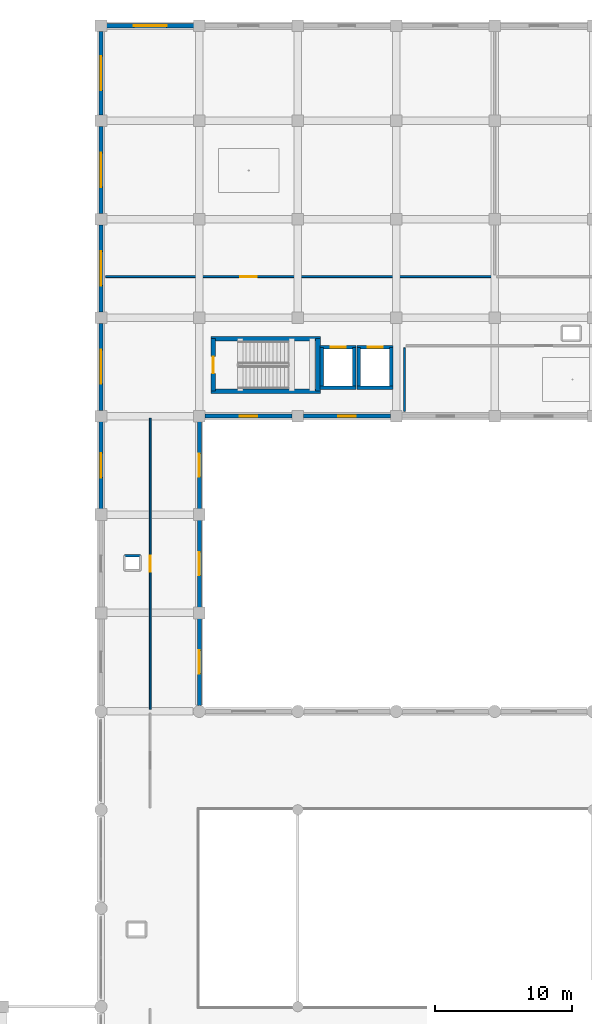
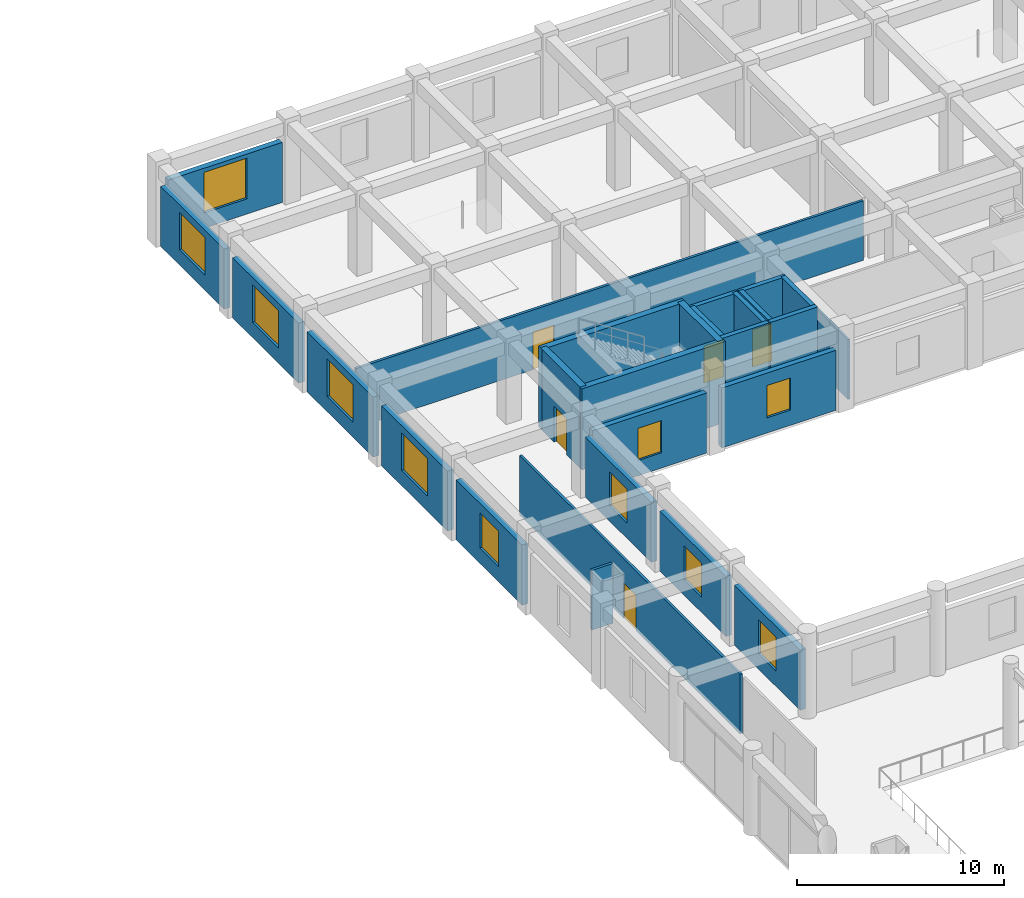
# One storey, part 33 of 54: 27 walls, 11 windows, 5 doors, 16 openings.
"""IFC4 building model written with IfcOpenShell, lengths in metres."""

import ifcopenshell
import ifcopenshell.guid

model = None  # the IFC model being written
_history = None  # IfcOwnerHistory: only IFC2X3 demands one
_inside = {}  # id of a spatial element -> (the spatial element, [elements in it])
_under = {}  # id of a project, library or spatial element -> (it, [spatial elements below it])
_declared = {}  # id of a project -> (the project, [libraries it declares])
_typed = {}  # id of a type object -> (the type object, [elements of that type])
_made_of = {}  # id of a material, layer set ... -> (it, [elements and type objects made of it])


def new_model(schema):
    """Start an empty IFC model of exactly this schema.

    Asked for "IFC4X3", IfcOpenShell would pick the latest addendum, in which some entities
    have other attributes; the version numbers below select the first issue.
    IFC2X3 requires an IfcOwnerHistory on every rooted entity: one is made here for all.
    """
    global model, _history
    if schema == "IFC4X3":
        model = ifcopenshell.file(schema_version=(4, 3, 0, 0))
    else:
        model = ifcopenshell.file(schema=schema)
    _inside.clear()
    _under.clear()
    _declared.clear()
    _typed.clear()
    _made_of.clear()
    _history = None
    if model.schema == "IFC2X3":
        org = make("IfcOrganization", Name="unknown")
        user = make(
            "IfcPersonAndOrganization",
            ThePerson=make("IfcPerson", FamilyName="unknown"),
            TheOrganization=org,
        )
        app = make(
            "IfcApplication",
            ApplicationDeveloper=org,
            Version="unknown",
            ApplicationFullName="unknown",
            ApplicationIdentifier="unknown",
        )
        _history = make(
            "IfcOwnerHistory",
            OwningUser=user,
            OwningApplication=app,
            ChangeAction="ADDED",
            CreationDate=0,
        )
    return model


def make(cls, **values):
    """One entity of the class cls with the attributes given. An attribute that is None is left unset."""
    return model.create_entity(
        cls, **{name: value for name, value in values.items() if value is not None}
    )


def rooted(cls, **values):
    """An entity with a GlobalId (a new one), such as an element, a storey or a relation."""
    return make(cls, GlobalId=ifcopenshell.guid.new(), OwnerHistory=_history, **values)


def si_unit(unit_type, name, prefix=None):
    """IfcSIUnit, for example si_unit("LENGTHUNIT", "METRE", prefix="MILLI")."""
    return make("IfcSIUnit", UnitType=unit_type, Prefix=prefix, Name=name)


def assignment(units):
    """IfcUnitAssignment: the units of a project."""
    return None if units is None else make("IfcUnitAssignment", Units=units)


def point(xyz):
    """IfcCartesianPoint."""
    return None if xyz is None else make("IfcCartesianPoint", Coordinates=xyz)


def direction(xyz):
    """IfcDirection."""
    return None if xyz is None else make("IfcDirection", DirectionRatios=xyz)


def frame(location, z_axis=None, x_axis=None):
    """IfcAxis2Placement3D, a coordinate frame: its origin and axes. An axis left out is left unset."""
    return make(
        "IfcAxis2Placement3D",
        Location=point(location),
        Axis=direction(z_axis),
        RefDirection=direction(x_axis),
    )


def frame_2d(location, x_axis=None):
    """IfcAxis2Placement2D, a coordinate frame in the plane: its origin and x axis."""
    return make(
        "IfcAxis2Placement2D", Location=point(location), RefDirection=direction(x_axis)
    )


def origin():
    """The frame at (0, 0, 0) with its axes left unset."""
    return frame((0.0, 0.0, 0.0))


def place(relative_to, where):
    """IfcLocalPlacement: puts the frame where relative to a parent placement (None: the world)."""
    return make(
        "IfcLocalPlacement", PlacementRelTo=relative_to, RelativePlacement=where
    )


def context(
    kind, dimensions, precision=None, world=None, true_north=None, identifier=None
):
    """IfcGeometricRepresentationContext, for example the 3D "Model" context."""
    return make(
        "IfcGeometricRepresentationContext",
        ContextIdentifier=identifier,
        ContextType=kind,
        CoordinateSpaceDimension=dimensions,
        Precision=precision,
        WorldCoordinateSystem=world,
        TrueNorth=true_north,
    )


def subcontext(parent, identifier, kind, view, scale=None):
    """IfcGeometricRepresentationSubContext, for example "Body" below "Model"."""
    return make(
        "IfcGeometricRepresentationSubContext",
        ContextIdentifier=identifier,
        ContextType=kind,
        ParentContext=parent,
        TargetScale=scale,
        TargetView=view,
    )


def project(units=None, contexts=None):
    """IfcProject with its units and contexts."""
    return rooted(
        "IfcProject",
        Name="project",
        RepresentationContexts=contexts,
        UnitsInContext=assignment(units),
    )


def spatial(cls, under=None, at=None, **own):
    """A site, building, storey or space (cls), placed at a placement, below another one or the project."""
    s = rooted(cls, ObjectPlacement=at, **own)
    if under is not None:
        _under.setdefault(under.id(), (under, []))[1].append(s)
    return s


def profile(cls, at=None, kind="AREA", **sizes):
    """A parametric profile (cls). Its sizes go by their IFC names, for example OverallWidth=200.0."""
    return make(cls, ProfileType=kind, Position=at, **sizes)


def rectangle(**sizes):
    """IfcRectangleProfileDef."""
    return profile("IfcRectangleProfileDef", **sizes)


def extrude(swept, where, along, depth):
    """IfcExtrudedAreaSolid: the profile swept, set in the frame where, extruded along a direction by depth."""
    return make(
        "IfcExtrudedAreaSolid",
        SweptArea=swept,
        Position=where,
        ExtrudedDirection=direction(along),
        Depth=depth,
    )


def shape(context_of_items, identifier, shape_type, items):
    """IfcShapeRepresentation: the items that make up one representation, for example the "Body"."""
    return make(
        "IfcShapeRepresentation",
        ContextOfItems=context_of_items,
        RepresentationIdentifier=identifier,
        RepresentationType=shape_type,
        Items=items,
    )


def material(Name=None, Category=None):
    """IfcMaterial."""
    return make("IfcMaterial", Name=Name, Category=Category)


def layer(
    of_material, thickness, ventilated=None, Name=None, Category=None, Priority=None
):
    """IfcMaterialLayer: one layer of a wall or slab, of a material (None: an air gap)."""
    return make(
        "IfcMaterialLayer",
        Material=of_material,
        LayerThickness=thickness,
        IsVentilated=ventilated,
        Name=Name,
        Category=Category,
        Priority=Priority,
    )


def layer_set(layers, Name=None):
    """IfcMaterialLayerSet."""
    return make("IfcMaterialLayerSet", MaterialLayers=layers, LayerSetName=Name)


def made_of(thing, what):
    """Note that an element or type object is made of a material, layer set ...; save() writes the relation."""
    if what is not None:
        _made_of.setdefault(what.id(), (what, []))[1].append(thing)
    return thing


def type_object(cls, material=None, **own):
    """A type object (cls), such as IfcWallType, which elements share."""
    return made_of(rooted(cls, **own), material)


def element(
    cls,
    number,
    at=None,
    inside=None,
    cuts=None,
    type_object=None,
    material=None,
    context=None,
    identifier="Body",
    shape_type=None,
    held_by="IfcProductDefinitionShape",
    body=None,
    shapes=None,
    **own,
):
    """One element of the class cls, such as IfcWall. Its Tag is "e" and its number.

    at: its placement. inside: the storey or other place that contains it. cuts: it is an
    opening in that element (IfcRelVoidsElement). A single representation is given by context,
    identifier, shape_type and body (its items); several are given by shapes. held_by: the class
    of the entity that holds the representations. save() writes the other relations.
    """
    e = rooted(cls, Tag="e%d" % number, ObjectPlacement=at, **own)
    if body is not None:
        shapes = [shape(context, identifier, shape_type, body)]
    if shapes is not None:
        e.Representation = make(held_by, Representations=shapes)
    if inside is not None:
        _inside.setdefault(inside.id(), (inside, []))[1].append(e)
    if cuts is not None:
        rooted(
            "IfcRelVoidsElement", RelatingBuildingElement=cuts, RelatedOpeningElement=e
        )
    if type_object is not None:
        _typed.setdefault(type_object.id(), (type_object, []))[1].append(e)
    return made_of(e, material)


def fill(opening, filler):
    """IfcRelFillsElement: the door or window that sits in an opening."""
    return rooted(
        "IfcRelFillsElement",
        RelatingOpeningElement=opening,
        RelatedBuildingElement=filler,
    )


def aggregate(whole, parts):
    """IfcRelAggregates: a whole, such as a stair, and the parts it consists of."""
    return rooted("IfcRelAggregates", RelatingObject=whole, RelatedObjects=parts)


def save(model, path):
    """Write the relations noted so far, then the file.

    IfcRelAggregates (storeys below a building ...), IfcRelContainedInSpatialStructure (elements
    in a storey), IfcRelDefinesByType, IfcRelAssociatesMaterial and IfcRelDeclares: one each for
    every whole, place, type object, material and project.
    """
    for whole, parts in _under.values():
        aggregate(whole, parts)
    for where, things in _inside.values():
        rooted(
            "IfcRelContainedInSpatialStructure",
            RelatedElements=things,
            RelatingStructure=where,
        )
    for kind, things in _typed.values():
        rooted("IfcRelDefinesByType", RelatedObjects=things, RelatingType=kind)
    for what, things in _made_of.values():
        rooted("IfcRelAssociatesMaterial", RelatedObjects=things, RelatingMaterial=what)
    for by, libraries in _declared.values():
        rooted("IfcRelDeclares", RelatingContext=by, RelatedDefinitions=libraries)
    model.write(path)


model = new_model("IFC4")

# Units and contexts
model_context = context("Model", 3, precision=1e-05, world=origin(), true_north=direction((0.0, 1.0)))
body_context = subcontext(model_context, "Body", "Model", "MODEL_VIEW")
ifc_project = project(units=[si_unit("LENGTHUNIT", "METRE"), si_unit("AREAUNIT", "SQUARE_METRE"), si_unit("VOLUMEUNIT", "CUBIC_METRE"), si_unit("PLANEANGLEUNIT", "RADIAN"), si_unit("MASSUNIT", "GRAM", prefix="KILO")], contexts=[model_context])

# Site, building, storey
site_placement = place(None, origin())
site = spatial("IfcSite", under=ifc_project, at=site_placement, CompositionType="ELEMENT")
building_placement = place(site_placement, origin())
building = spatial("IfcBuilding", under=site, at=building_placement, Name="Kazehaya Institute of Natural Sciences", CompositionType="ELEMENT")
storey_placement = place(building_placement, frame((0.0, 0.0, 5.39990234375)))
storey = spatial("IfcBuildingStorey", under=building, at=storey_placement, Name="L01", CompositionType="ELEMENT", Elevation=5.39990234375)

# Walls
ifc_material_1 = material(Name="Concrete Fc42", Category="concrete")
ifc_layer_1 = layer(ifc_material_1, 0.35009765625, Name="Concrete Fc42", Category="concrete")
ifc_layer_set_1 = layer_set([ifc_layer_1], Name="Concrete Fc42")
wall_type_1 = type_object("IfcWallType", Name="WL-CORE-350", PredefinedType="SHEAR", material=ifc_layer_set_1)
for number, where, z_axis, x_axis, name in (
    (1, (77.85498046875, 87.820068359375, 0.0), (0.0, 0.0, 1.0), (-1.0, 0.0, 0.0), "L01 ST-3 core wall S"),
    (2, (69.844970703125, 91.659912109375, 0.0), (0.0, 0.0, 1.0), (1.0, 0.0, 0.0), "L01 ST-3 core wall N"),
):
    element("IfcWall", number, at=place(storey_placement, frame(where, z_axis=z_axis, x_axis=x_axis)), inside=storey, type_object=wall_type_1, Name=name, PredefinedType="SHEAR", context=body_context, shape_type="SweptSolid", body=[
        extrude(rectangle(XDim=8.010009765625, YDim=0.35009765625, at=frame_2d((4.0048828125, 0.0))), origin(), (0.0, 0.0, 1.0), 4.77001953125),
    ])

# Wall, opening, door
wall_1_placement = place(storey_placement, frame((70.02001953125, 87.820068359375, 0.0), z_axis=(0.0, 0.0, 1.0), x_axis=(0.0, 1.0, 0.0)))
wall_1 = element("IfcWall", 3, at=wall_1_placement, inside=storey, type_object=wall_type_1, Name="L01 ST-3 core wall W", PredefinedType="SHEAR", context=body_context, shape_type="SweptSolid", body=[
    extrude(rectangle(XDim=3.83984375, YDim=0.35009765625, at=frame_2d((1.919921875, 0.0))), origin(), (0.0, 0.0, 1.0), 4.77001953125),
])
opening_1_placement = place(wall_1_placement, frame((1.31005859375, 0.0, 0.0)))
opening_1 = element("IfcOpeningElement", 4, at=opening_1_placement, cuts=wall_1, Name="Opening D-ST-025", PredefinedType="OPENING", context=body_context, shape_type="SweptSolid", body=[
    extrude(rectangle(XDim=1.219970703125, YDim=2.1201171875, at=frame_2d((0.60986328125, 1.06005859375))), frame((0.0, 0.18505859375, 0.0), z_axis=(0.0, -1.0, 0.0), x_axis=(1.0, 0.0, 0.0)), (0.0, 0.0, 1.0), 0.3701171875),
])
ifc_material_2 = material(Name="Fire-rated steel acoustic door", Category="steel")
door_type_1 = type_object("IfcDoorType", Name="DT-FD-26", OperationType="NOTDEFINED", PredefinedType="DOOR", material=ifc_material_2)
door_1_placement = place(opening_1_placement, origin())
door_1 = element("IfcDoor", 5, at=door_1_placement, inside=storey, type_object=door_type_1, Name="L01 ST-3 stair enclosure door D-ST-025", OperationType="SINGLE_SWING_LEFT", OverallHeight=2.1201171875, OverallWidth=1.219970703125, PredefinedType="DOOR", context=body_context, shape_type="SweptSolid", body=[
    extrude(rectangle(XDim=1.219970703125, YDim=2.1201171875, at=frame_2d((0.60986328125, 1.06005859375))), frame((0.0, 0.02490234375, 0.0), z_axis=(0.0, -1.0, 0.0), x_axis=(1.0, 0.0, 0.0)), (0.0, 0.0, 1.0), 0.050048828125),
])
fill(opening_1, door_1)

# Wall
wall_2_placement = place(storey_placement, frame((77.679931640625, 91.659912109375, 0.0), z_axis=(0.0, 0.0, 1.0), x_axis=(0.0, -1.0, 0.0)))
element("IfcWall", 6, at=wall_2_placement, inside=storey, type_object=wall_type_1, Name="L01 ST-3 core wall E", PredefinedType="SHEAR", context=body_context, shape_type="SweptSolid", body=[
    extrude(rectangle(XDim=3.83984375, YDim=0.35009765625, at=frame_2d((1.919921875, 0.0))), origin(), (0.0, 0.0, 1.0), 4.77001953125),
])

# Wall, opening, window
ifc_material_3 = material(Name="Precast concrete Fc36", Category="concrete")
ifc_layer_2 = layer(ifc_material_3, 0.2900390625, Name="Precast concrete Fc36", Category="concrete")
ifc_layer_set_2 = layer_set([ifc_layer_2], Name="Precast concrete Fc36")
wall_type_2 = type_object("IfcWallType", Name="WL-EXT-290", PredefinedType="SOLIDWALL", material=ifc_layer_set_2)
wall_3_placement = place(storey_placement, frame((82.989990234375, 86.0, 0.0), z_axis=(0.0, 0.0, 1.0), x_axis=(-1.0, 0.0, 0.0)))
wall_3 = element("IfcWall", 7, at=wall_3_placement, inside=storey, type_object=wall_type_2, Name="L01 exterior wall EW-L01-0191", PredefinedType="SOLIDWALL", context=body_context, shape_type="SweptSolid", body=[
    extrude(rectangle(XDim=6.3798828125, YDim=0.2900390625, at=frame_2d((3.18994140625, 0.0))), origin(), (0.0, 0.0, 1.0), 3.5400390625),
])
opening_2_placement = place(wall_3_placement, frame((2.5400390625, 0.0, 0.89990234375)))
opening_2 = element("IfcOpeningElement", 8, at=opening_2_placement, cuts=wall_3, Name="Opening W26", PredefinedType="OPENING", context=body_context, shape_type="SweptSolid", body=[
    extrude(rectangle(XDim=1.300048828125, YDim=1.89990234375, at=frame_2d((0.64990234375, 0.949951171875))), frame((0.0, 0.155029296875, 0.0), z_axis=(0.0, -1.0, 0.0), x_axis=(1.0, 0.0, 0.0)), (0.0, 0.0, 1.0), 0.31005859375),
])
ifc_material_4 = material(Name="Low-E double-glazed aluminium window", Category="aluminium")
window_type_1 = type_object("IfcWindowType", Name="WN-26", PartitioningType="SINGLE_PANEL", PredefinedType="WINDOW", material=ifc_material_4)
window_1_placement = place(opening_2_placement, origin())
window_1 = element("IfcWindow", 9, at=window_1_placement, inside=storey, type_object=window_type_1, Name="L01 facade window 0093", OverallHeight=1.89990234375, OverallWidth=1.300048828125, PartitioningType="SINGLE_PANEL", PredefinedType="WINDOW", context=body_context, shape_type="SweptSolid", body=[
    extrude(rectangle(XDim=1.300048828125, YDim=1.89990234375, at=frame_2d((0.64990234375, 0.949951171875))), frame((0.0, 0.030029296875, 0.0), z_axis=(0.0, -1.0, 0.0), x_axis=(1.0, 0.0, 0.0)), (0.0, 0.0, 1.0), 0.06005859375),
])
fill(opening_2, window_1)

wall_4_placement = place(storey_placement, frame((75.7900390625, 86.0, 0.0), z_axis=(0.0, 0.0, 1.0), x_axis=(-1.0, 0.0, 0.0)))
wall_4 = element("IfcWall", 10, at=wall_4_placement, inside=storey, type_object=wall_type_2, Name="L01 exterior wall EW-L01-0192", PredefinedType="SOLIDWALL", context=body_context, shape_type="SweptSolid", body=[
    extrude(rectangle(XDim=6.380126953125, YDim=0.2900390625, at=frame_2d((3.18994140625, 0.0))), origin(), (0.0, 0.0, 1.0), 3.5400390625),
])
opening_3_placement = place(wall_4_placement, frame((2.5400390625, 0.0, 0.89990234375)))
opening_3 = element("IfcOpeningElement", 11, at=opening_3_placement, cuts=wall_4, Name="Opening W26", PredefinedType="OPENING", context=body_context, shape_type="SweptSolid", body=[
    extrude(rectangle(XDim=1.300048828125, YDim=1.89990234375, at=frame_2d((0.64990234375, 0.949951171875))), frame((0.0, 0.155029296875, 0.0), z_axis=(0.0, -1.0, 0.0), x_axis=(1.0, 0.0, 0.0)), (0.0, 0.0, 1.0), 0.31005859375),
])
window_2_placement = place(opening_3_placement, origin())
window_2 = element("IfcWindow", 12, at=window_2_placement, inside=storey, type_object=window_type_1, Name="L01 facade window 0094", OverallHeight=1.89990234375, OverallWidth=1.300048828125, PartitioningType="SINGLE_PANEL", PredefinedType="WINDOW", context=body_context, shape_type="SweptSolid", body=[
    extrude(rectangle(XDim=1.300048828125, YDim=1.89990234375, at=frame_2d((0.64990234375, 0.949951171875))), frame((0.0, 0.030029296875, 0.0), z_axis=(0.0, -1.0, 0.0), x_axis=(1.0, 0.0, 0.0)), (0.0, 0.0, 1.0), 0.06005859375),
])
fill(opening_3, window_2)

ifc_layer_3 = layer(ifc_material_3, 0.31005859375, Name="Precast concrete Fc36", Category="concrete")
ifc_layer_set_3 = layer_set([ifc_layer_3], Name="Precast concrete Fc36")
wall_type_3 = type_object("IfcWallType", Name="WL-EXT-310", PredefinedType="SOLIDWALL", material=ifc_layer_set_3)
wall_5_placement = place(storey_placement, frame((69.0, 71.18994140625, 0.0), z_axis=(0.0, 0.0, 1.0), x_axis=(0.0, -1.0, 0.0)))
wall_5 = element("IfcWall", 13, at=wall_5_placement, inside=storey, type_object=wall_type_3, Name="L01 exterior wall EW-L01-0163", PredefinedType="SOLIDWALL", context=body_context, shape_type="SweptSolid", body=[
    extrude(rectangle(XDim=6.35498046875, YDim=0.31005859375, at=frame_2d((3.177490234375, 0.0))), origin(), (0.0, 0.0, 1.0), 3.5400390625),
])
opening_4_placement = place(wall_5_placement, frame((2.327392578125, 0.0, 0.89990234375)))
opening_4 = element("IfcOpeningElement", 14, at=opening_4_placement, cuts=wall_5, Name="Opening W22", PredefinedType="OPENING", context=body_context, shape_type="SweptSolid", body=[
    extrude(rectangle(XDim=1.699951171875, YDim=2.0, at=frame_2d((0.85009765625, 1.0))), frame((0.0, 0.1650390625, 0.0), z_axis=(0.0, -1.0, 0.0), x_axis=(1.0, 0.0, 0.0)), (0.0, 0.0, 1.0), 0.330078125),
])
window_type_2 = type_object("IfcWindowType", Name="WN-22", PartitioningType="SINGLE_PANEL", PredefinedType="WINDOW", material=ifc_material_4)
window_3_placement = place(opening_4_placement, origin())
window_3 = element("IfcWindow", 15, at=window_3_placement, inside=storey, type_object=window_type_2, Name="L01 facade window 0065", OverallHeight=2.0, OverallWidth=1.699951171875, PartitioningType="SINGLE_PANEL", PredefinedType="WINDOW", context=body_context, shape_type="SweptSolid", body=[
    extrude(rectangle(XDim=1.699951171875, YDim=2.0, at=frame_2d((0.85009765625, 1.0))), frame((0.0, 0.030029296875, 0.0), z_axis=(0.0, -1.0, 0.0), x_axis=(1.0, 0.0, 0.0)), (0.0, 0.0, 1.0), 0.06005859375),
])
fill(opening_4, window_3)

wall_6_placement = place(storey_placement, frame((69.0, 78.389892578125, 0.0), z_axis=(0.0, 0.0, 1.0), x_axis=(0.0, -1.0, 0.0)))
wall_6 = element("IfcWall", 16, at=wall_6_placement, inside=storey, type_object=wall_type_3, Name="L01 exterior wall EW-L01-0167", PredefinedType="SOLIDWALL", context=body_context, shape_type="SweptSolid", body=[
    extrude(rectangle(XDim=6.3798828125, YDim=0.31005859375, at=frame_2d((3.18994140625, 0.0))), origin(), (0.0, 0.0, 1.0), 3.5400390625),
])
opening_5_placement = place(wall_6_placement, frame((2.340087890625, 0.0, 0.89990234375)))
opening_5 = element("IfcOpeningElement", 17, at=opening_5_placement, cuts=wall_6, Name="Opening W22", PredefinedType="OPENING", context=body_context, shape_type="SweptSolid", body=[
    extrude(rectangle(XDim=1.699951171875, YDim=2.0, at=frame_2d((0.85009765625, 1.0))), frame((0.0, 0.1650390625, 0.0), z_axis=(0.0, -1.0, 0.0), x_axis=(1.0, 0.0, 0.0)), (0.0, 0.0, 1.0), 0.330078125),
])
window_4_placement = place(opening_5_placement, origin())
window_4 = element("IfcWindow", 18, at=window_4_placement, inside=storey, type_object=window_type_2, Name="L01 facade window 0069", OverallHeight=2.0, OverallWidth=1.699951171875, PartitioningType="SINGLE_PANEL", PredefinedType="WINDOW", context=body_context, shape_type="SweptSolid", body=[
    extrude(rectangle(XDim=1.699951171875, YDim=2.0, at=frame_2d((0.85009765625, 1.0))), frame((0.0, 0.030029296875, 0.0), z_axis=(0.0, -1.0, 0.0), x_axis=(1.0, 0.0, 0.0)), (0.0, 0.0, 1.0), 0.06005859375),
])
fill(opening_5, window_4)

wall_7_placement = place(storey_placement, frame((69.0, 85.590087890625, 0.0), z_axis=(0.0, 0.0, 1.0), x_axis=(0.0, -1.0, 0.0)))
wall_7 = element("IfcWall", 19, at=wall_7_placement, inside=storey, type_object=wall_type_3, Name="L01 exterior wall EW-L01-0171", PredefinedType="SOLIDWALL", context=body_context, shape_type="SweptSolid", body=[
    extrude(rectangle(XDim=6.380126953125, YDim=0.31005859375, at=frame_2d((3.18994140625, 0.0))), origin(), (0.0, 0.0, 1.0), 3.5400390625),
])
opening_6_placement = place(wall_7_placement, frame((2.340087890625, 0.0, 0.89990234375)))
opening_6 = element("IfcOpeningElement", 20, at=opening_6_placement, cuts=wall_7, Name="Opening W22", PredefinedType="OPENING", context=body_context, shape_type="SweptSolid", body=[
    extrude(rectangle(XDim=1.699951171875, YDim=2.0, at=frame_2d((0.85009765625, 1.0))), frame((0.0, 0.1650390625, 0.0), z_axis=(0.0, -1.0, 0.0), x_axis=(1.0, 0.0, 0.0)), (0.0, 0.0, 1.0), 0.330078125),
])
window_5_placement = place(opening_6_placement, origin())
window_5 = element("IfcWindow", 21, at=window_5_placement, inside=storey, type_object=window_type_2, Name="L01 facade window 0073", OverallHeight=2.0, OverallWidth=1.699951171875, PartitioningType="SINGLE_PANEL", PredefinedType="WINDOW", context=body_context, shape_type="SweptSolid", body=[
    extrude(rectangle(XDim=1.699951171875, YDim=2.0, at=frame_2d((0.85009765625, 1.0))), frame((0.0, 0.030029296875, 0.0), z_axis=(0.0, -1.0, 0.0), x_axis=(1.0, 0.0, 0.0)), (0.0, 0.0, 1.0), 0.06005859375),
])
fill(opening_6, window_5)

ifc_layer_4 = layer(ifc_material_3, 0.320068359375, Name="Precast concrete Fc36", Category="concrete")
ifc_layer_set_4 = layer_set([ifc_layer_4], Name="Precast concrete Fc36")
wall_type_4 = type_object("IfcWallType", Name="WL-EXT-320", PredefinedType="SOLIDWALL", material=ifc_layer_set_4)
wall_8_placement = place(storey_placement, frame((61.800048828125, 79.2099609375, 0.0), z_axis=(0.0, 0.0, 1.0), x_axis=(0.0, 1.0, 0.0)))
wall_8 = element("IfcWall", 22, at=wall_8_placement, inside=storey, type_object=wall_type_4, Name="L01 exterior wall EW-L01-0169", PredefinedType="SOLIDWALL", context=body_context, shape_type="SweptSolid", body=[
    extrude(rectangle(XDim=6.380126953125, YDim=0.320068359375, at=frame_2d((3.18994140625, 0.0))), origin(), (0.0, 0.0, 1.0), 3.5400390625),
])
opening_7_placement = place(wall_8_placement, frame((2.2900390625, 0.0, 0.89990234375)))
opening_7 = element("IfcOpeningElement", 23, at=opening_7_placement, cuts=wall_8, Name="Opening W06", PredefinedType="OPENING", context=body_context, shape_type="SweptSolid", body=[
    extrude(rectangle(XDim=1.800048828125, YDim=2.10009765625, at=frame_2d((0.89990234375, 1.050048828125))), frame((0.0, 0.169921875, 0.0), z_axis=(0.0, -1.0, 0.0), x_axis=(1.0, 0.0, 0.0)), (0.0, 0.0, 1.0), 0.340087890625),
])
window_type_3 = type_object("IfcWindowType", Name="WN-06", PartitioningType="DOUBLE_PANEL_VERTICAL", PredefinedType="WINDOW", material=ifc_material_4)
window_6_placement = place(opening_7_placement, origin())
window_6 = element("IfcWindow", 24, at=window_6_placement, inside=storey, type_object=window_type_3, Name="L01 facade window 0071", OverallHeight=2.10009765625, OverallWidth=1.800048828125, PartitioningType="DOUBLE_PANEL_VERTICAL", PredefinedType="WINDOW", context=body_context, shape_type="SweptSolid", body=[
    extrude(rectangle(XDim=1.800048828125, YDim=2.10009765625, at=frame_2d((0.89990234375, 1.050048828125))), frame((0.0, 0.030029296875, 0.0), z_axis=(0.0, -1.0, 0.0), x_axis=(1.0, 0.0, 0.0)), (0.0, 0.0, 1.0), 0.06005859375),
])
fill(opening_7, window_6)

wall_9_placement = place(storey_placement, frame((61.800048828125, 86.409912109375, 0.0), z_axis=(0.0, 0.0, 1.0), x_axis=(0.0, 1.0, 0.0)))
wall_9 = element("IfcWall", 25, at=wall_9_placement, inside=storey, type_object=wall_type_4, Name="L01 exterior wall EW-L01-0173", PredefinedType="SOLIDWALL", context=body_context, shape_type="SweptSolid", body=[
    extrude(rectangle(XDim=6.380126953125, YDim=0.320068359375, at=frame_2d((3.18994140625, 0.0))), origin(), (0.0, 0.0, 1.0), 3.5400390625),
])
opening_8_placement = place(wall_9_placement, frame((1.93994140625, 0.0, 0.89990234375)))
opening_8 = element("IfcOpeningElement", 26, at=opening_8_placement, cuts=wall_9, Name="Opening W24", PredefinedType="OPENING", context=body_context, shape_type="SweptSolid", body=[
    extrude(rectangle(XDim=2.5, YDim=2.199951171875, at=frame_2d((1.25, 1.10009765625))), frame((0.0, 0.169921875, 0.0), z_axis=(0.0, -1.0, 0.0), x_axis=(1.0, 0.0, 0.0)), (0.0, 0.0, 1.0), 0.340087890625),
])
window_type_4 = type_object("IfcWindowType", Name="WN-24", PartitioningType="DOUBLE_PANEL_VERTICAL", PredefinedType="WINDOW", material=ifc_material_4)
window_7_placement = place(opening_8_placement, origin())
window_7 = element("IfcWindow", 27, at=window_7_placement, inside=storey, type_object=window_type_4, Name="L01 facade window 0075", OverallHeight=2.199951171875, OverallWidth=2.5, PartitioningType="DOUBLE_PANEL_VERTICAL", PredefinedType="WINDOW", context=body_context, shape_type="SweptSolid", body=[
    extrude(rectangle(XDim=2.5, YDim=2.199951171875, at=frame_2d((1.25, 1.10009765625))), frame((0.0, 0.030029296875, 0.0), z_axis=(0.0, -1.0, 0.0), x_axis=(1.0, 0.0, 0.0)), (0.0, 0.0, 1.0), 0.06005859375),
])
fill(opening_8, window_7)

wall_10_placement = place(storey_placement, frame((61.800048828125, 93.610107421875, 0.0), z_axis=(0.0, 0.0, 1.0), x_axis=(0.0, 1.0, 0.0)))
wall_10 = element("IfcWall", 28, at=wall_10_placement, inside=storey, type_object=wall_type_4, Name="L01 exterior wall EW-L01-0175", PredefinedType="SOLIDWALL", context=body_context, shape_type="SweptSolid", body=[
    extrude(rectangle(XDim=6.3798828125, YDim=0.320068359375, at=frame_2d((3.18994140625, 0.0))), origin(), (0.0, 0.0, 1.0), 3.5400390625),
])
opening_9_placement = place(wall_10_placement, frame((1.93994140625, 0.0, 0.89990234375)))
opening_9 = element("IfcOpeningElement", 29, at=opening_9_placement, cuts=wall_10, Name="Opening W24", PredefinedType="OPENING", context=body_context, shape_type="SweptSolid", body=[
    extrude(rectangle(XDim=2.5, YDim=2.199951171875, at=frame_2d((1.25, 1.10009765625))), frame((0.0, 0.169921875, 0.0), z_axis=(0.0, -1.0, 0.0), x_axis=(1.0, 0.0, 0.0)), (0.0, 0.0, 1.0), 0.340087890625),
])
window_8_placement = place(opening_9_placement, origin())
window_8 = element("IfcWindow", 30, at=window_8_placement, inside=storey, type_object=window_type_4, Name="L01 facade window 0077", OverallHeight=2.199951171875, OverallWidth=2.5, PartitioningType="DOUBLE_PANEL_VERTICAL", PredefinedType="WINDOW", context=body_context, shape_type="SweptSolid", body=[
    extrude(rectangle(XDim=2.5, YDim=2.199951171875, at=frame_2d((1.25, 1.10009765625))), frame((0.0, 0.030029296875, 0.0), z_axis=(0.0, -1.0, 0.0), x_axis=(1.0, 0.0, 0.0)), (0.0, 0.0, 1.0), 0.06005859375),
])
fill(opening_9, window_8)

wall_11_placement = place(storey_placement, frame((61.800048828125, 100.81005859375, 0.0), z_axis=(0.0, 0.0, 1.0), x_axis=(0.0, 1.0, 0.0)))
wall_11 = element("IfcWall", 31, at=wall_11_placement, inside=storey, type_object=wall_type_4, Name="L01 exterior wall EW-L01-0177", PredefinedType="SOLIDWALL", context=body_context, shape_type="SweptSolid", body=[
    extrude(rectangle(XDim=6.3798828125, YDim=0.320068359375, at=frame_2d((3.18994140625, 0.0))), origin(), (0.0, 0.0, 1.0), 3.5400390625),
])
opening_10_placement = place(wall_11_placement, frame((1.93994140625, 0.0, 0.89990234375)))
opening_10 = element("IfcOpeningElement", 32, at=opening_10_placement, cuts=wall_11, Name="Opening W24", PredefinedType="OPENING", context=body_context, shape_type="SweptSolid", body=[
    extrude(rectangle(XDim=2.5, YDim=2.199951171875, at=frame_2d((1.25, 1.10009765625))), frame((0.0, 0.169921875, 0.0), z_axis=(0.0, -1.0, 0.0), x_axis=(1.0, 0.0, 0.0)), (0.0, 0.0, 1.0), 0.340087890625),
])
window_9_placement = place(opening_10_placement, origin())
window_9 = element("IfcWindow", 33, at=window_9_placement, inside=storey, type_object=window_type_4, Name="L01 facade window 0079", OverallHeight=2.199951171875, OverallWidth=2.5, PartitioningType="DOUBLE_PANEL_VERTICAL", PredefinedType="WINDOW", context=body_context, shape_type="SweptSolid", body=[
    extrude(rectangle(XDim=2.5, YDim=2.199951171875, at=frame_2d((1.25, 1.10009765625))), frame((0.0, 0.030029296875, 0.0), z_axis=(0.0, -1.0, 0.0), x_axis=(1.0, 0.0, 0.0)), (0.0, 0.0, 1.0), 0.06005859375),
])
fill(opening_10, window_9)

wall_12_placement = place(storey_placement, frame((61.800048828125, 108.010009765625, 0.0), z_axis=(0.0, 0.0, 1.0), x_axis=(0.0, 1.0, 0.0)))
wall_12 = element("IfcWall", 34, at=wall_12_placement, inside=storey, type_object=wall_type_4, Name="L01 exterior wall EW-L01-0179", PredefinedType="SOLIDWALL", context=body_context, shape_type="SweptSolid", body=[
    extrude(rectangle(XDim=6.1298828125, YDim=0.320068359375, at=frame_2d((3.06494140625, 0.0))), origin(), (0.0, 0.0, 1.0), 3.5400390625),
])
opening_11_placement = place(wall_12_placement, frame((1.81494140625, 0.0, 0.89990234375)))
opening_11 = element("IfcOpeningElement", 35, at=opening_11_placement, cuts=wall_12, Name="Opening W24", PredefinedType="OPENING", context=body_context, shape_type="SweptSolid", body=[
    extrude(rectangle(XDim=2.5, YDim=2.199951171875, at=frame_2d((1.25, 1.10009765625))), frame((0.0, 0.169921875, 0.0), z_axis=(0.0, -1.0, 0.0), x_axis=(1.0, 0.0, 0.0)), (0.0, 0.0, 1.0), 0.340087890625),
])
window_10_placement = place(opening_11_placement, origin())
window_10 = element("IfcWindow", 36, at=window_10_placement, inside=storey, type_object=window_type_4, Name="L01 facade window 0081", OverallHeight=2.199951171875, OverallWidth=2.5, PartitioningType="DOUBLE_PANEL_VERTICAL", PredefinedType="WINDOW", context=body_context, shape_type="SweptSolid", body=[
    extrude(rectangle(XDim=2.5, YDim=2.199951171875, at=frame_2d((1.25, 1.10009765625))), frame((0.0, 0.030029296875, 0.0), z_axis=(0.0, -1.0, 0.0), x_axis=(1.0, 0.0, 0.0)), (0.0, 0.0, 1.0), 0.06005859375),
])
fill(opening_11, window_10)

wall_13_placement = place(storey_placement, frame((62.2099609375, 114.550048828125, 0.0), z_axis=(0.0, 0.0, 1.0), x_axis=(1.0, 0.0, 0.0)))
wall_13 = element("IfcWall", 37, at=wall_13_placement, inside=storey, type_object=wall_type_4, Name="L01 exterior wall EW-L01-0181", PredefinedType="SOLIDWALL", context=body_context, shape_type="SweptSolid", body=[
    extrude(rectangle(XDim=6.380126953125, YDim=0.320068359375, at=frame_2d((3.18994140625, 0.0))), origin(), (0.0, 0.0, 1.0), 3.5400390625),
])
opening_12_placement = place(wall_13_placement, frame((1.989990234375, 0.0, 0.89990234375)))
opening_12 = element("IfcOpeningElement", 38, at=opening_12_placement, cuts=wall_13, Name="Opening W03", PredefinedType="OPENING", context=body_context, shape_type="SweptSolid", body=[
    extrude(rectangle(XDim=2.39990234375, YDim=2.39990234375, at=frame_2d((1.199951171875, 1.199951171875))), frame((0.0, 0.169921875, 0.0), z_axis=(0.0, -1.0, 0.0), x_axis=(1.0, 0.0, 0.0)), (0.0, 0.0, 1.0), 0.340087890625),
])
window_type_5 = type_object("IfcWindowType", Name="WN-03", PartitioningType="DOUBLE_PANEL_VERTICAL", PredefinedType="WINDOW", material=ifc_material_4)
window_11_placement = place(opening_12_placement, origin())
window_11 = element("IfcWindow", 39, at=window_11_placement, inside=storey, type_object=window_type_5, Name="L01 facade window 0083", OverallHeight=2.39990234375, OverallWidth=2.39990234375, PartitioningType="DOUBLE_PANEL_VERTICAL", PredefinedType="WINDOW", context=body_context, shape_type="SweptSolid", body=[
    extrude(rectangle(XDim=2.39990234375, YDim=2.39990234375, at=frame_2d((1.199951171875, 1.199951171875))), frame((0.0, 0.030029296875, 0.0), z_axis=(0.0, -1.0, 0.0), x_axis=(1.0, 0.0, 0.0)), (0.0, 0.0, 1.0), 0.06005859375),
])
fill(opening_12, window_11)

# Wall
ifc_material_5 = material(Name="Gypsum write-up office partition", Category="gypsum")
ifc_layer_5 = layer(ifc_material_5, 0.1201171875, Name="Gypsum write-up office partition", Category="gypsum")
ifc_layer_set_5 = layer_set([ifc_layer_5], Name="Gypsum write-up office partition")
wall_type_5 = type_object("IfcWallType", Name="WL-PART-120", PredefinedType="PARTITIONING", material=ifc_layer_set_5)
wall_14_placement = place(storey_placement, frame((84.0, 86.35009765625, 0.0), z_axis=(0.0, 0.0, 1.0), x_axis=(0.0, 1.0, 0.0)))
element("IfcWall", 40, at=wall_14_placement, inside=storey, type_object=wall_type_5, Name="L01 Researcher Write-up Office partition IW-L01-0127", PredefinedType="PARTITIONING", context=body_context, shape_type="SweptSolid", body=[
    extrude(rectangle(XDim=4.64990234375, YDim=0.1201171875, at=frame_2d((2.324951171875, 0.0))), origin(), (0.0, 0.0, 1.0), 3.52001953125),
])

# Wall, opening, door
ifc_material_6 = material(Name="Moisture-resistant WC partition")
ifc_layer_6 = layer(ifc_material_6, 0.1298828125, Name="Moisture-resistant WC partition")
ifc_layer_set_6 = layer_set([ifc_layer_6], Name="Moisture-resistant WC partition")
wall_type_6 = type_object("IfcWallType", Name="WL-PART-130", PredefinedType="PARTITIONING", material=ifc_layer_set_6)
wall_15_placement = place(storey_placement, frame((65.39990234375, 64.550048828125, 0.0), z_axis=(0.0, 0.0, 1.0), x_axis=(0.0, 1.0, 0.0)))
wall_15 = element("IfcWall", 41, at=wall_15_placement, inside=storey, type_object=wall_type_6, Name="L01 Researcher Write-up Office partition IW-L01-0121", PredefinedType="PARTITIONING", context=body_context, shape_type="SweptSolid", body=[
    extrude(rectangle(XDim=21.300048828125, YDim=0.1298828125, at=frame_2d((10.64990234375, 0.0))), origin(), (0.0, 0.0, 1.0), 3.52001953125),
])
opening_13_placement = place(wall_15_placement, frame((10.054931640625, 0.0, 0.0)))
opening_13 = element("IfcOpeningElement", 42, at=opening_13_placement, cuts=wall_15, Name="Opening D-L01-0093", PredefinedType="OPENING", context=body_context, shape_type="SweptSolid", body=[
    extrude(rectangle(XDim=1.18994140625, YDim=2.10009765625, at=frame_2d((0.594970703125, 1.050048828125))), frame((0.0, 0.074951171875, 0.0), z_axis=(0.0, -1.0, 0.0), x_axis=(1.0, 0.0, 0.0)), (0.0, 0.0, 1.0), 0.14990234375),
])
ifc_material_7 = material(Name="Flush timber and aluminium laboratory door", Category="wood")
door_type_2 = type_object("IfcDoorType", Name="DT-INT-34", OperationType="NOTDEFINED", PredefinedType="DOOR", material=ifc_material_7)
door_2_placement = place(opening_13_placement, origin())
door_2 = element("IfcDoor", 43, at=door_2_placement, inside=storey, type_object=door_type_2, Name="L01 Researcher Write-up Office door D-L01-0093", OperationType="SINGLE_SWING_LEFT", OverallHeight=2.10009765625, OverallWidth=1.18994140625, PredefinedType="DOOR", context=body_context, shape_type="SweptSolid", body=[
    extrude(rectangle(XDim=1.18994140625, YDim=2.10009765625, at=frame_2d((0.594970703125, 1.050048828125))), frame((0.0, 0.02490234375, 0.0), z_axis=(0.0, -1.0, 0.0), x_axis=(1.0, 0.0, 0.0)), (0.0, 0.0, 1.0), 0.050048828125),
])
fill(opening_13, door_2)

ifc_material_8 = material(Name="Gypsum partition", Category="gypsum")
ifc_layer_7 = layer(ifc_material_8, 0.139892578125, Name="Gypsum partition", Category="gypsum")
ifc_layer_set_7 = layer_set([ifc_layer_7], Name="Gypsum partition")
wall_type_7 = type_object("IfcWallType", Name="WL-PART-140", PredefinedType="PARTITIONING", material=ifc_layer_set_7)
wall_16_placement = place(storey_placement, frame((90.449951171875, 96.199951171875, 0.0), z_axis=(0.0, 0.0, 1.0), x_axis=(-1.0, 0.0, 0.0)))
wall_16 = element("IfcWall", 44, at=wall_16_placement, inside=storey, type_object=wall_type_7, Name="L01 Photonics Optics Laboratory partition IW-L01-0123", PredefinedType="PARTITIONING", context=body_context, shape_type="SweptSolid", body=[
    extrude(rectangle(XDim=28.300048828125, YDim=0.139892578125, at=frame_2d((14.14990234375, 0.0))), origin(), (0.0, 0.0, 1.0), 3.52001953125),
])
opening_14_placement = place(wall_16_placement, frame((17.2548828125, 0.0, 0.0)))
opening_14 = element("IfcOpeningElement", 45, at=opening_14_placement, cuts=wall_16, Name="Opening D-L01-0095", PredefinedType="OPENING", context=body_context, shape_type="SweptSolid", body=[
    extrude(rectangle(XDim=1.18994140625, YDim=2.219970703125, at=frame_2d((0.594970703125, 1.10986328125))), frame((0.0, 0.079833984375, 0.0), z_axis=(0.0, -1.0, 0.0), x_axis=(1.0, 0.0, 0.0)), (0.0, 0.0, 1.0), 0.159912109375),
])
door_type_3 = type_object("IfcDoorType", Name="DT-INT-36", OperationType="NOTDEFINED", PredefinedType="DOOR", material=ifc_material_7)
door_3_placement = place(opening_14_placement, origin())
door_3 = element("IfcDoor", 46, at=door_3_placement, inside=storey, type_object=door_type_3, Name="L01 Photonics Optics Laboratory door D-L01-0095", OperationType="SINGLE_SWING_LEFT", OverallHeight=2.219970703125, OverallWidth=1.18994140625, PredefinedType="DOOR", context=body_context, shape_type="SweptSolid", body=[
    extrude(rectangle(XDim=1.18994140625, YDim=2.219970703125, at=frame_2d((0.594970703125, 1.10986328125))), frame((0.0, 0.02490234375, 0.0), z_axis=(0.0, -1.0, 0.0), x_axis=(1.0, 0.0, 0.0)), (0.0, 0.0, 1.0), 0.050048828125),
])
fill(opening_14, door_3)

# Walls
ifc_material_9 = material(Name="Concrete Fc36", Category="concrete")
ifc_layer_8 = layer(ifc_material_9, 0.14990234375, Name="Concrete Fc36", Category="concrete")
ifc_layer_set_8 = layer_set([ifc_layer_8], Name="Concrete Fc36")
wall_type_8 = type_object("IfcWallType", Name="WL-RISER-150", PredefinedType="PARTITIONING", material=ifc_layer_set_8)
wall_17_placement = place(storey_placement, frame((63.514892578125, 75.784912109375, 0.0), z_axis=(0.0, 0.0, 1.0), x_axis=(1.0, 0.0, 0.0)))
element("IfcWall", 47, at=wall_17_placement, inside=storey, type_object=wall_type_8, Name="L01 fume exhaust riser shaft wall 21", PredefinedType="PARTITIONING", context=body_context, shape_type="SweptSolid", body=[
    extrude(rectangle(XDim=1.170166015625, YDim=0.14990234375, at=frame_2d((0.5849609375, 0.0))), origin(), (0.0, 0.0, 1.0), 3.52001953125),
])
ifc_layer_9 = layer(ifc_material_1, 0.25, Name="Concrete Fc42", Category="concrete")
ifc_layer_set_9 = layer_set([ifc_layer_9], Name="Concrete Fc42")
wall_type_9 = type_object("IfcWallType", Name="WL-SHAFT-250", PredefinedType="SHEAR", material=ifc_layer_set_9)
wall_18_placement = place(storey_placement, frame((80.4599609375, 88.06494140625, 0.0), z_axis=(0.0, 0.0, 1.0), x_axis=(-1.0, 0.0, 0.0)))
element("IfcWall", 48, at=wall_18_placement, inside=storey, type_object=wall_type_9, Name="L01 EL04 lift shaft wall south", PredefinedType="SHEAR", context=body_context, shape_type="SweptSolid", body=[
    extrude(rectangle(XDim=2.619873046875, YDim=0.25, at=frame_2d((1.31005859375, 0.0))), origin(), (0.0, 0.0, 1.0), 4.77001953125),
])

# Wall, opening, door
wall_19_placement = place(storey_placement, frame((77.840087890625, 91.034912109375, 0.0), z_axis=(0.0, 0.0, 1.0), x_axis=(1.0, 0.0, 0.0)))
wall_19 = element("IfcWall", 49, at=wall_19_placement, inside=storey, type_object=wall_type_9, Name="L01 EL04 lift shaft wall north", PredefinedType="SHEAR", context=body_context, shape_type="SweptSolid", body=[
    extrude(rectangle(XDim=2.619873046875, YDim=0.25, at=frame_2d((1.31005859375, 0.0))), origin(), (0.0, 0.0, 1.0), 4.77001953125),
])
opening_15_placement = place(wall_19_placement, frame((0.760009765625, 0.0, 0.0)))
opening_15 = element("IfcOpeningElement", 50, at=opening_15_placement, cuts=wall_19, Name="Opening LD-58", PredefinedType="OPENING", context=body_context, shape_type="SweptSolid", body=[
    extrude(rectangle(XDim=1.10009765625, YDim=2.199951171875, at=frame_2d((0.550048828125, 1.10009765625))), frame((0.0, 0.135009765625, 0.0), z_axis=(0.0, -1.0, 0.0), x_axis=(1.0, 0.0, 0.0)), (0.0, 0.0, 1.0), 0.27001953125),
])
ifc_material_10 = material(Name="Stainless-steel sliding landing door", Category="steel")
door_type_4 = type_object("IfcDoorType", Name="DT-LD-1100x2200", OperationType="SLIDING_TO_LEFT", PredefinedType="DOOR", material=ifc_material_10)
door_4_placement = place(opening_15_placement, origin())
door_4 = element("IfcDoor", 51, at=door_4_placement, inside=storey, type_object=door_type_4, Name="L01 EL04 sliding landing door LD-58", OperationType="SLIDING_TO_LEFT", OverallHeight=2.199951171875, OverallWidth=1.10009765625, PredefinedType="DOOR", context=body_context, shape_type="SweptSolid", body=[
    extrude(rectangle(XDim=1.10009765625, YDim=2.199951171875, at=frame_2d((0.550048828125, 1.10009765625))), frame((0.0, 0.02490234375, 0.0), z_axis=(0.0, -1.0, 0.0), x_axis=(1.0, 0.0, 0.0)), (0.0, 0.0, 1.0), 0.050048828125),
])
fill(opening_15, door_4)

# Walls
for number, where, z_axis, x_axis, name in (
    (52, (77.965087890625, 88.06494140625, 0.0), (0.0, 0.0, 1.0), (0.0, 1.0, 0.0), "L01 EL04 lift shaft wall west"),
    (53, (80.3349609375, 91.034912109375, 0.0), (0.0, 0.0, 1.0), (0.0, -1.0, 0.0), "L01 EL04 lift shaft wall east"),
):
    element("IfcWall", number, at=place(storey_placement, frame(where, z_axis=z_axis, x_axis=x_axis)), inside=storey, type_object=wall_type_9, Name=name, PredefinedType="SHEAR", context=body_context, shape_type="SweptSolid", body=[
        extrude(rectangle(XDim=2.969970703125, YDim=0.25, at=frame_2d((1.48486328125, 0.0))), origin(), (0.0, 0.0, 1.0), 4.77001953125),
    ])
wall_20_placement = place(storey_placement, frame((83.159912109375, 88.06494140625, 0.0), z_axis=(0.0, 0.0, 1.0), x_axis=(-1.0, 0.0, 0.0)))
element("IfcWall", 54, at=wall_20_placement, inside=storey, type_object=wall_type_9, Name="L01 EL05 lift shaft wall south", PredefinedType="SHEAR", context=body_context, shape_type="SweptSolid", body=[
    extrude(rectangle(XDim=2.619873046875, YDim=0.25, at=frame_2d((1.31005859375, 0.0))), origin(), (0.0, 0.0, 1.0), 4.77001953125),
])

# Wall, opening, door
wall_21_placement = place(storey_placement, frame((80.5400390625, 91.034912109375, 0.0), z_axis=(0.0, 0.0, 1.0), x_axis=(1.0, 0.0, 0.0)))
wall_21 = element("IfcWall", 55, at=wall_21_placement, inside=storey, type_object=wall_type_9, Name="L01 EL05 lift shaft wall north", PredefinedType="SHEAR", context=body_context, shape_type="SweptSolid", body=[
    extrude(rectangle(XDim=2.619873046875, YDim=0.25, at=frame_2d((1.31005859375, 0.0))), origin(), (0.0, 0.0, 1.0), 4.77001953125),
])
opening_16_placement = place(wall_21_placement, frame((0.760009765625, 0.0, 0.0)))
opening_16 = element("IfcOpeningElement", 56, at=opening_16_placement, cuts=wall_21, Name="Opening LD-66", PredefinedType="OPENING", context=body_context, shape_type="SweptSolid", body=[
    extrude(rectangle(XDim=1.10009765625, YDim=2.199951171875, at=frame_2d((0.550048828125, 1.10009765625))), frame((0.0, 0.135009765625, 0.0), z_axis=(0.0, -1.0, 0.0), x_axis=(1.0, 0.0, 0.0)), (0.0, 0.0, 1.0), 0.27001953125),
])
door_5_placement = place(opening_16_placement, origin())
door_5 = element("IfcDoor", 57, at=door_5_placement, inside=storey, type_object=door_type_4, Name="L01 EL05 sliding landing door LD-66", OperationType="SLIDING_TO_LEFT", OverallHeight=2.199951171875, OverallWidth=1.10009765625, PredefinedType="DOOR", context=body_context, shape_type="SweptSolid", body=[
    extrude(rectangle(XDim=1.10009765625, YDim=2.199951171875, at=frame_2d((0.550048828125, 1.10009765625))), frame((0.0, 0.02490234375, 0.0), z_axis=(0.0, -1.0, 0.0), x_axis=(1.0, 0.0, 0.0)), (0.0, 0.0, 1.0), 0.050048828125),
])
fill(opening_16, door_5)

# Walls
for number, where, z_axis, x_axis, name in (
    (58, (80.6650390625, 88.06494140625, 0.0), (0.0, 0.0, 1.0), (0.0, 1.0, 0.0), "L01 EL05 lift shaft wall west"),
    (59, (83.034912109375, 91.034912109375, 0.0), (0.0, 0.0, 1.0), (0.0, -1.0, 0.0), "L01 EL05 lift shaft wall east"),
):
    element("IfcWall", number, at=place(storey_placement, frame(where, z_axis=z_axis, x_axis=x_axis)), inside=storey, type_object=wall_type_9, Name=name, PredefinedType="SHEAR", context=body_context, shape_type="SweptSolid", body=[
        extrude(rectangle(XDim=2.969970703125, YDim=0.25, at=frame_2d((1.48486328125, 0.0))), origin(), (0.0, 0.0, 1.0), 4.77001953125),
    ])

save(model, "model.ifc")
